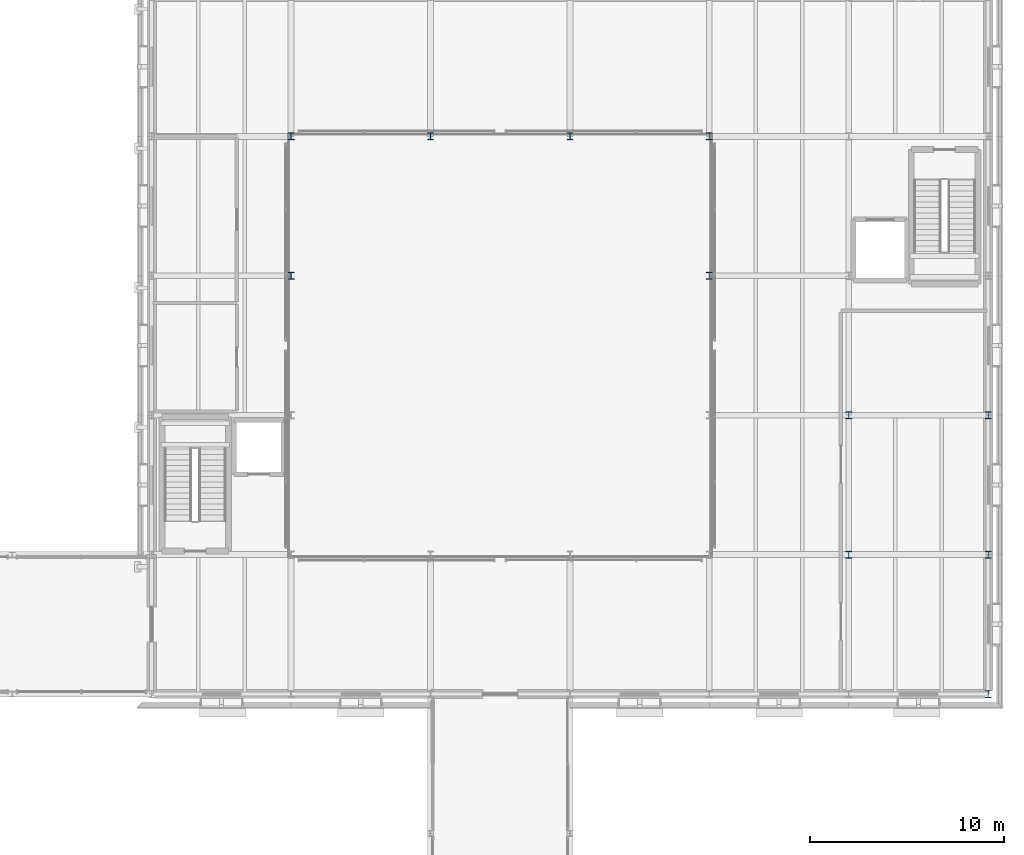
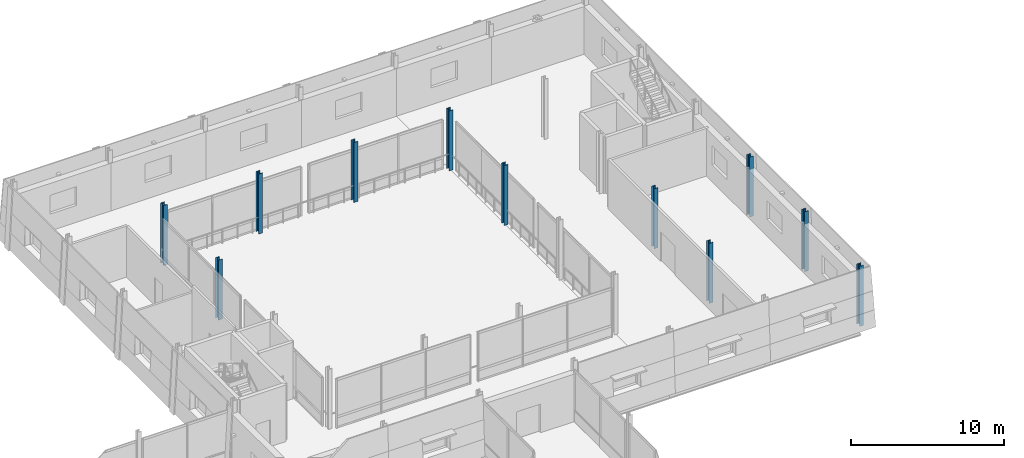
# One storey, part 20 of 121: 11 columns.
"""IFC4 building model written with IfcOpenShell, lengths in metres."""

from ifc_helpers import new_model, si_unit, direction, frame, origin, origin_2d, place, context, subcontext, project, spatial, i_section, extrude, material, material_profile, profile_set, type_object, element, save


model = new_model("IFC4")

# Units and contexts
model_context = context("Model", 3, precision=1e-05, world=origin(), true_north=direction((0.0, 1.0)))
body_context = subcontext(model_context, "Body", "Model", "MODEL_VIEW")
ifc_project = project(units=[si_unit("LENGTHUNIT", "METRE"), si_unit("AREAUNIT", "SQUARE_METRE"), si_unit("VOLUMEUNIT", "CUBIC_METRE"), si_unit("PLANEANGLEUNIT", "RADIAN"), si_unit("MASSUNIT", "GRAM", prefix="KILO")], contexts=[model_context])

# Site, building, storey
site_placement = place(None, origin())
site = spatial("IfcSite", under=ifc_project, at=site_placement, CompositionType="ELEMENT")
building_placement = place(site_placement, origin())
building = spatial("IfcBuilding", under=site, at=building_placement, Name="Narikvali Park Central Library", CompositionType="ELEMENT")
storey_placement = place(building_placement, frame((0.0, 0.0, 5.39990234375)))
storey = spatial("IfcBuildingStorey", under=building, at=storey_placement, Name="L01", CompositionType="ELEMENT", Elevation=5.39990234375)

# Columns
ifc_material = material(Name="Steel S355", Category="steel")
ifc_material_profile = material_profile(ifc_material, i_section(OverallWidth=0.300048828125, OverallDepth=0.360107421875, WebThickness=0.012451171875, FlangeThickness=0.0224609375, FilletRadius=0.027099609375, at=origin_2d()), Name="HEB 360")
ifc_profile_set = profile_set([ifc_material_profile], Name="Steel S355")
column_type = type_object("IfcColumnType", Name="Steel Column HEB360", PredefinedType="COLUMN", material=ifc_profile_set)
for number, where, z_axis, x_axis, name in (
    (1, (129.60009765625, 100.800048828125, 0.0), (0.0, 0.0, 1.0), (1.0, 0.0, 0.0), "V3 L01 Column (129.6,100.8)"),
    (2, (129.60009765625, 108.0, 0.0), (0.0, 0.0, 1.0), (1.0, 0.0, 0.0), "V3 L01 Column (129.6,108.0)"),
    (3, (136.800048828125, 108.0, 0.0), (0.0, 0.0, 1.0), (1.0, 0.0, 0.0), "V3 L01 Column (136.8,108.0)"),
    (4, (144.0, 108.0, 0.0), (0.0, 0.0, 1.0), (1.0, 0.0, 0.0), "V3 L01 Column (144.0,108.0)"),
    (5, (151.199951171875, 100.800048828125, 0.0), (0.0, 0.0, 1.0), (1.0, 0.0, 0.0), "V3 L01 Column (151.2,100.8)"),
    (6, (151.199951171875, 108.0, 0.0), (0.0, 0.0, 1.0), (1.0, 0.0, 0.0), "V3 L01 Column (151.2,108.0)"),
    (7, (158.39990234375, 86.39990234375, 0.0), (0.0, 0.0, 1.0), (1.0, 0.0, 0.0), "V3 L01 Column (158.4,86.4)"),
    (8, (158.39990234375, 93.60009765625, 0.0), (0.0, 0.0, 1.0), (1.0, 0.0, 0.0), "V3 L01 Column (158.4,93.6)"),
    (9, (165.60009765625, 79.199951171875, 0.0), (0.0, 0.0, 1.0), (1.0, 0.0, 0.0), "V3 L01 Column (165.6,79.2)"),
    (10, (165.60009765625, 86.39990234375, 0.0), (0.0, 0.0, 1.0), (1.0, 0.0, 0.0), "V3 L01 Column (165.6,86.4)"),
    (11, (165.60009765625, 93.60009765625, 0.0), (0.0, 0.0, 1.0), (1.0, 0.0, 0.0), "V3 L01 Column (165.6,93.6)"),
):
    element("IfcColumn", number, at=place(storey_placement, frame(where, z_axis=z_axis, x_axis=x_axis)), inside=storey, type_object=column_type, Name=name, PredefinedType="COLUMN", context=body_context, shape_type="SweptSolid", body=[
        extrude(i_section(OverallWidth=0.300048828125, OverallDepth=0.360107421875, WebThickness=0.012451171875, FlangeThickness=0.0224609375, FilletRadius=0.027099609375, at=origin_2d()), origin(), (0.0, 0.0, 1.0), 4.800048828125),
    ])

save(model, "model.ifc")
